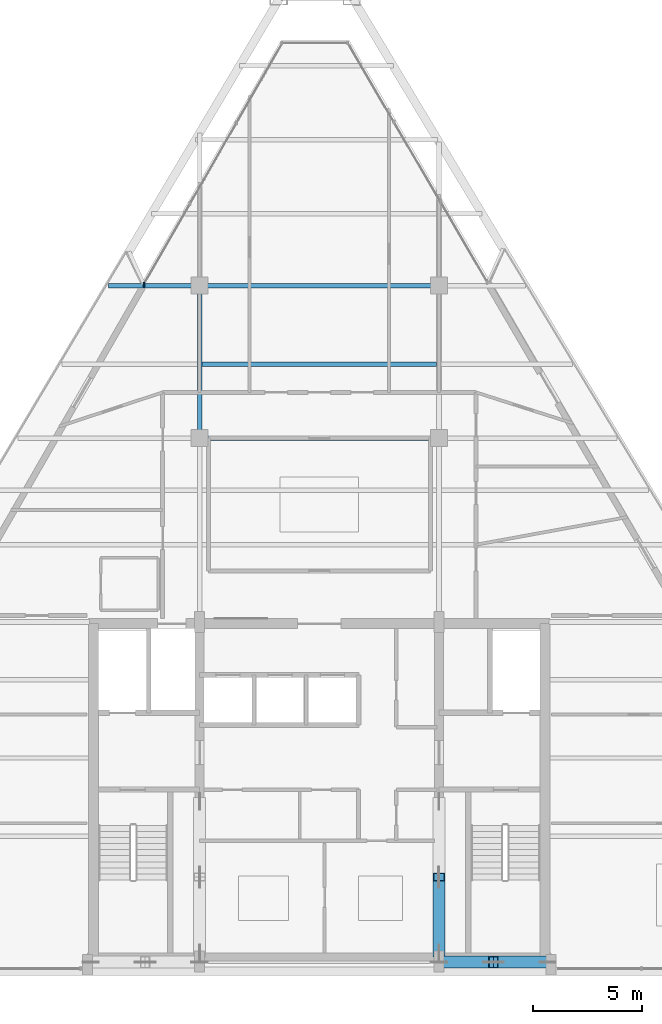
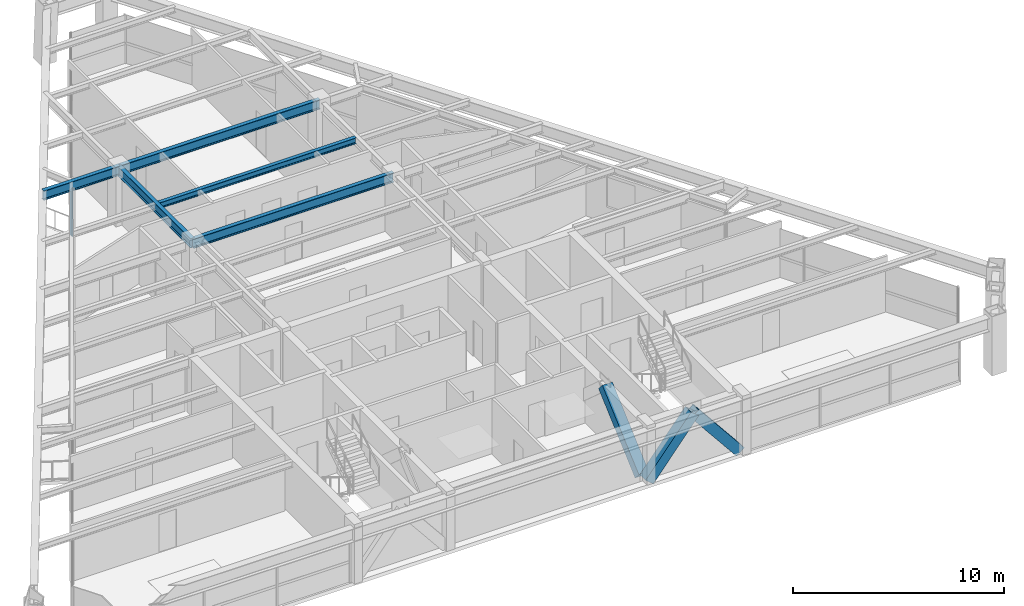
# One storey, part 4 of 13: 5 beams, 5 members, 1 element without a shape of its own.
"""IFC4 building model written with IfcOpenShell, lengths in metres."""

from ifc_helpers import new_model, si_unit, direction, frame, origin, origin_2d, place, context, subcontext, project, spatial, rectangle, hollow_rectangle, i_section, extrude, source, transform, mapped, material, material_profile, profile_set, type_object, type_shapes, element, aggregate, save


model = new_model("IFC4")

# Units and contexts
model_context = context("Model", 3, precision=1e-05, world=origin(), true_north=direction((0.0, 1.0)))
body_context = subcontext(model_context, "Body", "Model", "MODEL_VIEW")
ifc_project = project(units=[si_unit("LENGTHUNIT", "METRE"), si_unit("AREAUNIT", "SQUARE_METRE"), si_unit("VOLUMEUNIT", "CUBIC_METRE"), si_unit("PLANEANGLEUNIT", "RADIAN"), si_unit("MASSUNIT", "GRAM", prefix="KILO")], contexts=[model_context])

# Site, building, storey
site_placement = place(None, origin())
site = spatial("IfcSite", under=ifc_project, at=site_placement, CompositionType="ELEMENT")
building_placement = place(site_placement, origin())
building = spatial("IfcBuilding", under=site, at=building_placement, Name="Varnakhor Terracotta Tower", CompositionType="ELEMENT")
storey_placement = place(building_placement, frame((0.0, 0.0, 286.800048828125)))
storey = spatial("IfcBuildingStorey", under=building, at=storey_placement, Name="L75", CompositionType="ELEMENT", Elevation=286.800048828125)

# Beams
ifc_material_1 = material(Name="Steel S355", Category="steel")
ifc_material_profile_1 = material_profile(ifc_material_1, i_section(OverallWidth=0.214111328125, OverallDepth=0.549072265625, WebThickness=0.014892578125, FlangeThickness=0.02392578125, FilletRadius=0.01806640625, at=origin_2d()), Name="W21X93")
ifc_profile_set_1 = profile_set([ifc_material_profile_1], Name="Steel S355")
beam_type_1 = type_object("IfcBeamType", Name="BM-W21X93", PredefinedType="BEAM", material=ifc_profile_set_1)
shared_shape_1 = source(origin(), body_context, "Body", "SweptSolid", [
    extrude(i_section(OverallWidth=0.214111328125, OverallDepth=0.549072265625, WebThickness=0.014892578125, FlangeThickness=0.02392578125, FilletRadius=0.01806640625, at=origin_2d()), origin(), (0.0, 0.0, 1.0), 7.0),
])
beam_1_placement = place(storey_placement, frame((-5.5, 24.5, 2.96533203125), z_axis=(0.0, 1.0, 0.0), x_axis=(-1.0, 0.0, 0.0)))
element("IfcBeam", 1, at=beam_1_placement, inside=storey, type_object=beam_type_1, Name="L75 Primary Girder NS2-W", PredefinedType="BEAM", context=body_context, shape_type="MappedRepresentation", body=[
    mapped(shared_shape_1, transform((0.0, 0.0, 0.0), scale=1.0)),
])
shared_shape_2 = source(origin(), body_context, "Body", "SweptSolid", [
    extrude(i_section(OverallWidth=0.214111328125, OverallDepth=0.549072265625, WebThickness=0.014892578125, FlangeThickness=0.02392578125, FilletRadius=0.01806640625, at=origin_2d()), origin(), (0.0, 0.0, 1.0), 11.0),
])
for number, where, z_axis, x_axis, name in (
    (2, (-5.5, 24.5, 2.96533203125), (1.0, 0.0, 0.0), (0.0, 1.0, 0.0), "L75 Primary Girder EW2-2"),
    (3, (-5.5, 31.5, 2.96533203125), (1.0, 0.0, 0.0), (0.0, 1.0, 0.0), "L75 Primary Girder EW3-2"),
):
    element("IfcBeam", number, at=place(storey_placement, frame(where, z_axis=z_axis, x_axis=x_axis)), inside=storey, type_object=beam_type_1, Name=name, PredefinedType="BEAM", context=body_context, shape_type="MappedRepresentation", body=[
        mapped(shared_shape_2, transform((0.0, 0.0, 0.0), scale=1.0)),
    ])
ifc_material_profile_2 = material_profile(ifc_material_1, i_section(OverallWidth=0.202880859375, OverallDepth=0.346923828125, WebThickness=0.0078125, FlangeThickness=0.013427734375, FilletRadius=0.01806640625, at=origin_2d()), Name="W14X43")
ifc_profile_set_2 = profile_set([ifc_material_profile_2], Name="Steel S355")
beam_type_2 = type_object("IfcBeamType", Name="JST-W14X43", PredefinedType="JOIST", material=ifc_profile_set_2)
shared_shape_3 = source(origin(), body_context, "Body", "SweptSolid", [
    extrude(i_section(OverallWidth=0.202880859375, OverallDepth=0.346923828125, WebThickness=0.0078125, FlangeThickness=0.013427734375, FilletRadius=0.01806640625, at=origin_2d()), origin(), (0.0, 0.0, 1.0), 10.7939453125),
])
beam_2_placement = place(storey_placement, frame((-5.39697265625, 27.89990234375, 3.06640625), z_axis=(1.0, 0.0, 0.0), x_axis=(0.0, 1.0, 0.0)))
element("IfcBeam", 4, at=beam_2_placement, inside=storey, type_object=beam_type_2, Name="L75 Composite Floor Joist 6-2", PredefinedType="JOIST", context=body_context, shape_type="MappedRepresentation", body=[
    mapped(shared_shape_3, transform((0.0, 0.0, 0.0), scale=1.0)),
])

# Members
ifc_material_profile_3 = material_profile(ifc_material_1, hollow_rectangle(XDim=0.550048828125, YDim=0.550048828125, WallThickness=0.034912109375, at=origin_2d()), Name="HSS550X550X35")
ifc_profile_set_3 = profile_set([ifc_material_profile_3], Name="Steel S355")
member_type_1 = type_object("IfcMemberType", Name="MBR-MEGA-550", PredefinedType="BRACE", material=ifc_profile_set_3)
shared_shape_4 = source(origin(), body_context, "Body", "SweptSolid", [
    extrude(hollow_rectangle(XDim=0.550048828125, YDim=0.550048828125, WallThickness=0.034912109375, at=origin_2d()), origin(), (0.0, 0.0, 1.0), 3.974609375),
])
for number, where, z_axis, x_axis, name in (
    (5, (5.5, 0.419921875, 0.0), (0.629000299358, 0.0, 0.777405057488), (0.0, 1.0, 0.0), "L75 Core Coupled Brace CSEA"),
    (6, (10.5, 0.419921875, 0.0), (-0.629000299358, 0.0, 0.777405057488), (0.0, -1.0, 0.0), "L75 Core Coupled Brace CSEB"),
):
    element("IfcMember", number, at=place(storey_placement, frame(where, z_axis=z_axis, x_axis=x_axis)), inside=storey, type_object=member_type_1, Name=name, PredefinedType="BRACE", context=body_context, shape_type="MappedRepresentation", body=[
        mapped(shared_shape_4, transform((0.0, 0.0, 0.0), scale=1.0)),
    ])
shared_shape_5 = source(origin(), body_context, "Body", "SweptSolid", [
    extrude(hollow_rectangle(XDim=0.550048828125, YDim=0.550048828125, WallThickness=0.034912109375, at=origin_2d()), origin(), (0.0, 0.0, 1.0), 4.64990234375),
])
member_1_placement = place(storey_placement, frame((5.5, 0.85009765625, 0.0), z_axis=(0.0, 0.747293435799, 0.664494184182), x_axis=(-1.0, 0.0, 0.0)))
element("IfcMember", 7, at=member_1_placement, inside=storey, type_object=member_type_1, Name="L75 Core Coupled Brace CWEA", PredefinedType="BRACE", context=body_context, shape_type="MappedRepresentation", body=[
    mapped(shared_shape_5, transform((0.0, 0.0, 0.0), scale=1.0)),
])

# Beam
shared_shape_6 = source(origin(), body_context, "Body", "SweptSolid", [
    extrude(i_section(OverallWidth=0.214111328125, OverallDepth=0.549072265625, WebThickness=0.014892578125, FlangeThickness=0.02392578125, FilletRadius=0.01806640625, at=origin_2d()), origin(), (0.0, 0.0, 1.0), 4.173828125),
])
beam_3_placement = place(storey_placement, frame((-9.673828125, 31.5, 2.96533203125), z_axis=(1.0, 0.0, 0.0), x_axis=(0.0, 1.0, 0.0)))
element("IfcBeam", 8, at=beam_3_placement, inside=storey, type_object=beam_type_1, Name="L75 Primary Girder EW3-1", PredefinedType="BEAM", context=body_context, shape_type="MappedRepresentation", body=[
    mapped(shared_shape_6, transform((0.0, 0.0, 0.0), scale=1.0)),
])

# Curtain wall, members
ifc_material_2 = material(Name="Anodised Aluminium Curtain Wall System", Category="aluminium")
curtain_wall_type = type_object("IfcCurtainWallType", Name="CW-SYS-HOTEL-LOGGIA", PredefinedType="NOTDEFINED", material=ifc_material_2)
curtain_wall_placement = place(storey_placement, origin())
curtain_wall = element("IfcCurtainWall", 9, at=curtain_wall_placement, inside=storey, type_object=curtain_wall_type, Name="L75 W Facet Curtain Wall 2", PredefinedType="NOTDEFINED")
ifc_material_3 = material(Name="Anodised Aluminium 6063-T6", Category="aluminium")
ifc_material_profile_4 = material_profile(ifc_material_3, rectangle(XDim=0.06494140625, YDim=0.159912109375, at=origin_2d()), Name="ALU MULLION 65x160")
ifc_profile_set_4 = profile_set([ifc_material_profile_4], Name="Anodised Aluminium 6063-T6")
member_type_2 = type_object("IfcMemberType", Name="CWM-04", PredefinedType="MULLION", material=ifc_profile_set_4)
shared_shape_7 = source(origin(), body_context, "Body", "SweptSolid", [
    extrude(rectangle(XDim=0.06494140625, YDim=0.159912109375, at=origin_2d()), origin(), (0.0, 0.0, 1.0), 2.820068359375),
])
type_shapes(member_type_2, [shared_shape_7])
member_2_placement = place(storey_placement, frame((-8.0625, 31.572021484375, 0.0), z_axis=(0.0, 0.0, 1.0), x_axis=(1.0, 0.0, 0.0)))
member_2 = element("IfcMember", 10, at=member_2_placement, type_object=member_type_2, Name="L75 W Facet Curtain Wall 2 Mullion 1", PredefinedType="MULLION", context=body_context, shape_type="MappedRepresentation", body=[
    mapped(shared_shape_7, transform((0.0, 0.0, 0.0), scale=1.0)),
])
member_3_placement = place(storey_placement, frame((-8.060302734375, 31.535888671875, 0.0), z_axis=(0.0, 0.0, 1.0), x_axis=(1.0, 0.0, 0.0)))
member_3 = element("IfcMember", 11, at=member_3_placement, type_object=member_type_2, Name="L75 W Loggia Jamb Closure Mullion 2", PredefinedType="MULLION", context=body_context, shape_type="MappedRepresentation", body=[
    mapped(shared_shape_7, transform((0.0, 0.0, 0.0), scale=1.0)),
])
aggregate(curtain_wall, [member_2, member_3])

save(model, "model.ifc")
